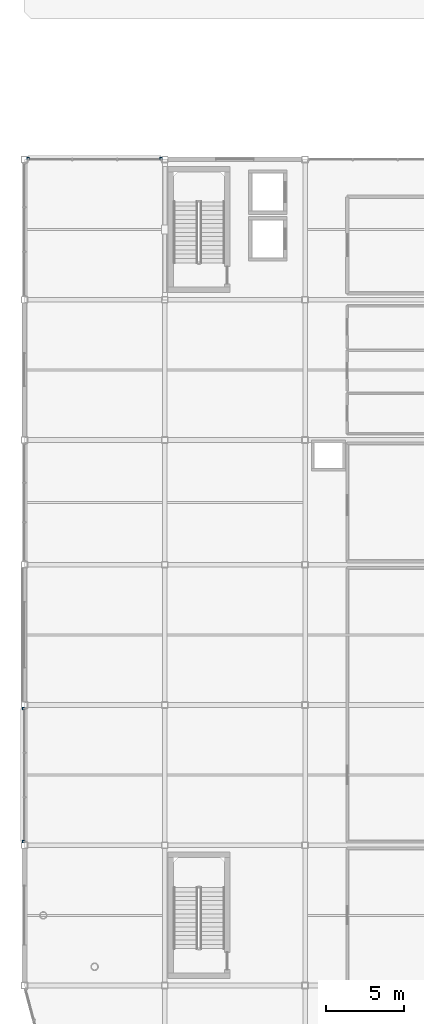
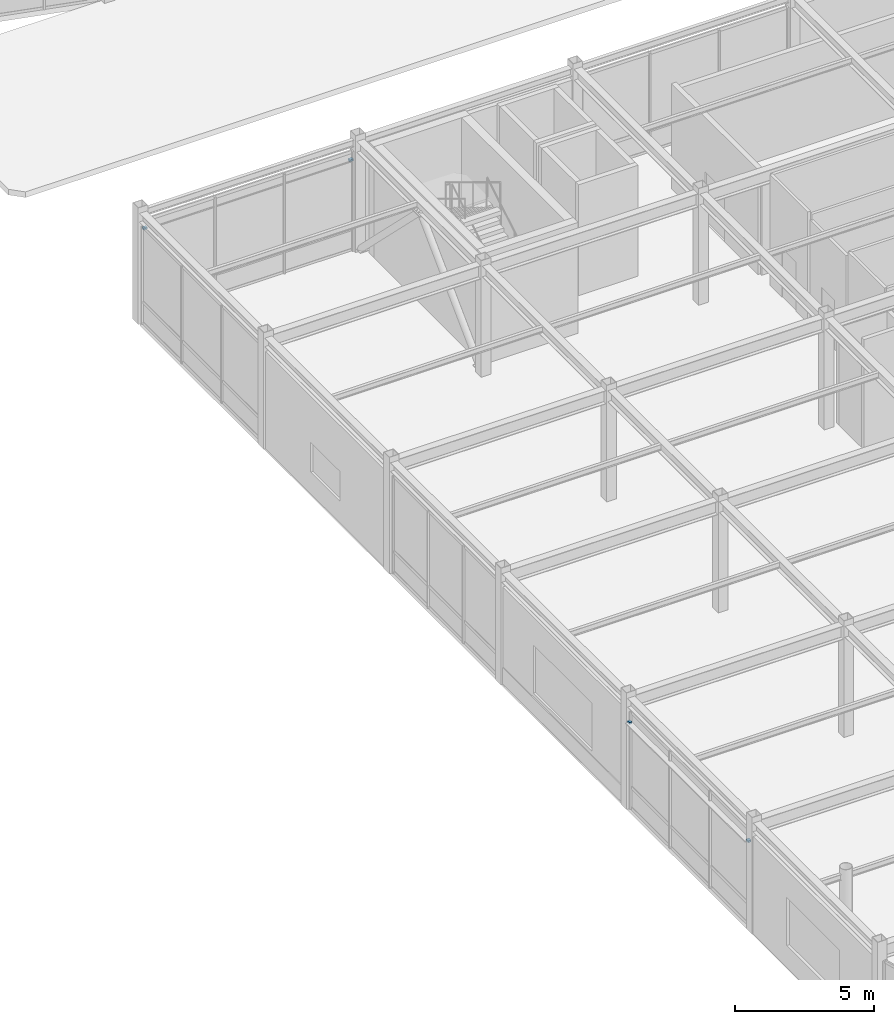
# One storey, part 96 of 123: 4 discrete accessories.
"""IFC4 building model written with IfcOpenShell, lengths in metres."""

from ifc_helpers import new_model, si_unit, direction, frame, origin, origin_2d, place, context, subcontext, project, spatial, rectangle, extrude, material, type_object, element, save


model = new_model("IFC4")

# Units and contexts
model_context = context("Model", 3, precision=1e-05, world=origin(), true_north=direction((0.0, 1.0)))
body_context = subcontext(model_context, "Body", "Model", "MODEL_VIEW")
ifc_project = project(units=[si_unit("LENGTHUNIT", "METRE"), si_unit("AREAUNIT", "SQUARE_METRE"), si_unit("VOLUMEUNIT", "CUBIC_METRE"), si_unit("PLANEANGLEUNIT", "RADIAN"), si_unit("MASSUNIT", "GRAM", prefix="KILO")], contexts=[model_context])

# Site, building, storey
site_placement = place(None, origin())
site = spatial("IfcSite", under=ifc_project, at=site_placement, CompositionType="ELEMENT")
building_placement = place(site_placement, origin())
building = spatial("IfcBuilding", under=site, at=building_placement, Name="Suzunagisa Mobility Hub", CompositionType="ELEMENT")
storey_placement = place(building_placement, origin())
storey = spatial("IfcBuildingStorey", under=building, at=storey_placement, Name="L00", CompositionType="ELEMENT", Elevation=0.0)

# Discrete accessories
ifc_material = material(Name="Stainless Steel SUS316", Category="metal")
discrete_accessory_type = type_object("IfcDiscreteAccessoryType", Name="Stainless Sunshade Outrigger Bracket BRK-01", PredefinedType="BRACKET", material=ifc_material)
for number, where, z_axis, x_axis, name in (
    (1, (8.767578125, 62.0849609375, 3.8720703125), (0.0, 0.0, 1.0), (-1.0, 0.0, 0.0), "Sunshade Outrigger Bracket BRK-1.1"),
    (2, (0.232421875, 62.0849609375, 3.8720703125), (0.0, 0.0, 1.0), (-1.0, 0.0, 0.0), "Sunshade Outrigger Bracket BRK-1.2"),
    (3, (-0.0849609375, 26.767578125, 3.77197265625), (0.0, 0.0, 1.0), (0.0, -1.0, 0.0), "Sunshade Outrigger Bracket BRK-2.1"),
    (4, (-0.0849609375, 18.232421875, 3.77197265625), (0.0, 0.0, 1.0), (0.0, -1.0, 0.0), "Sunshade Outrigger Bracket BRK-2.2"),
):
    element("IfcDiscreteAccessory", number, at=place(storey_placement, frame(where, z_axis=z_axis, x_axis=x_axis)), inside=storey, type_object=discrete_accessory_type, Name=name, PredefinedType="BRACKET", context=body_context, shape_type="SweptSolid", body=[
        extrude(rectangle(XDim=0.159912109375, YDim=0.1201171875, at=origin_2d()), origin(), (0.0, 0.0, 1.0), 0.080078125),
    ])

save(model, "model.ifc")
